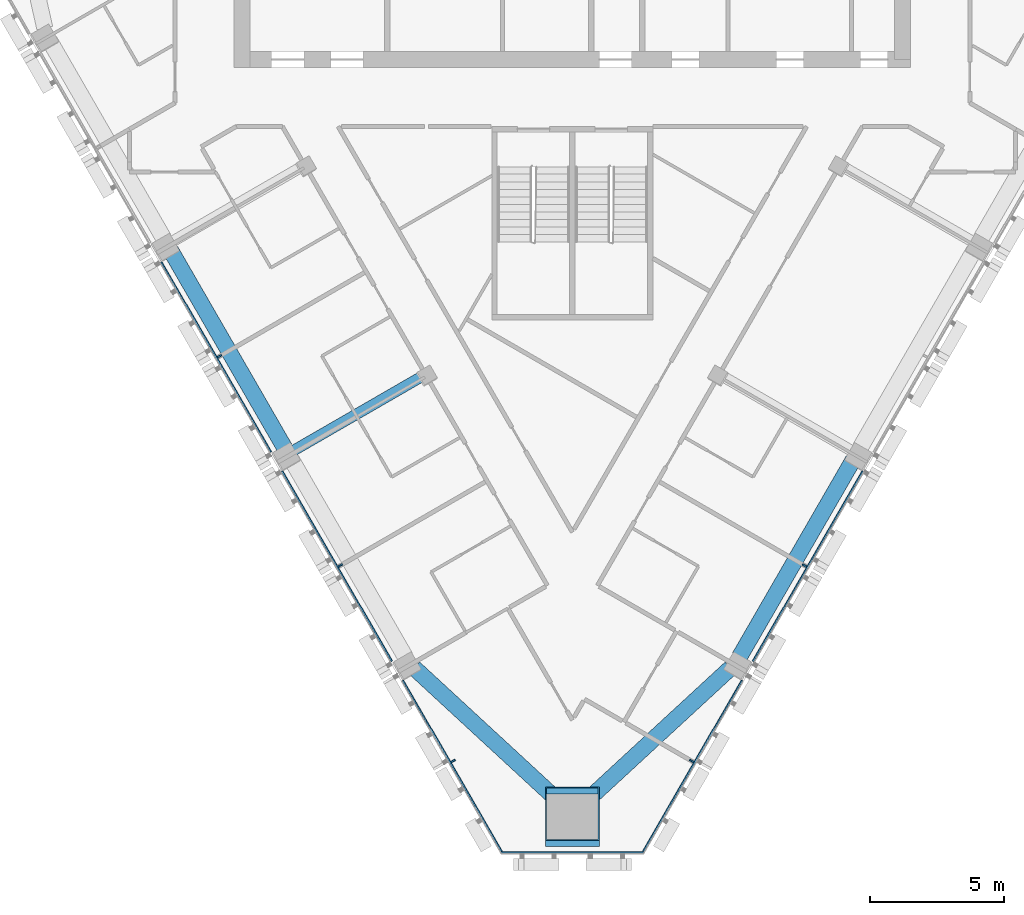
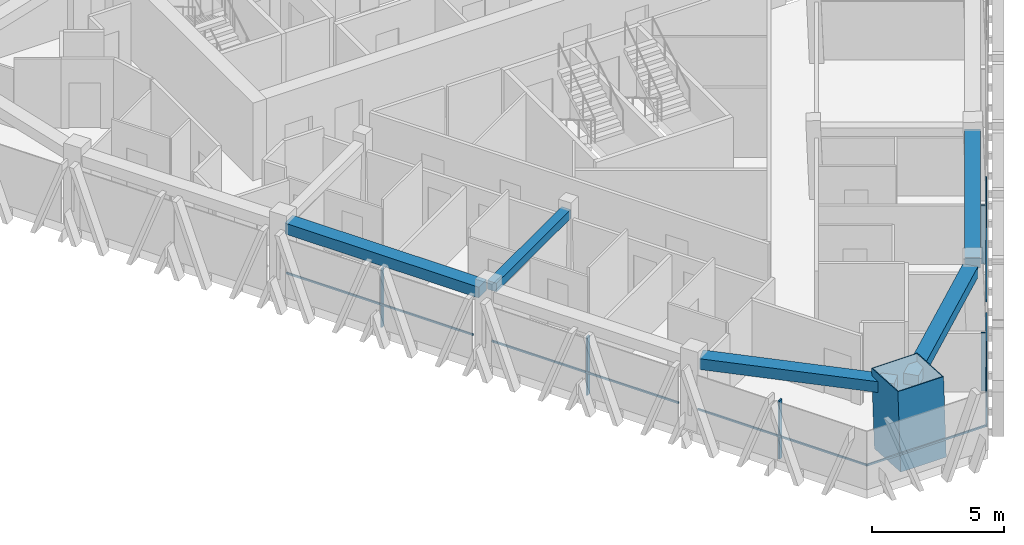
# One storey, part 2 of 15: 12 members, 5 beams, 3 elements without a shape of their own.
"""IFC4 building model written with IfcOpenShell, lengths in metres."""

from ifc_helpers import new_model, si_unit, direction, frame, origin, origin_2d, place, context, subcontext, project, spatial, rectangle, hollow_rectangle, extrude, material, layer, layer_set, material_profile, profile_set, type_object, element, aggregate, save


model = new_model("IFC4")

# Units and contexts
model_context = context("Model", 3, precision=1e-05, world=origin(), true_north=direction((0.0, 1.0)))
body_context = subcontext(model_context, "Body", "Model", "MODEL_VIEW")
ifc_project = project(units=[si_unit("LENGTHUNIT", "METRE"), si_unit("AREAUNIT", "SQUARE_METRE"), si_unit("VOLUMEUNIT", "CUBIC_METRE"), si_unit("PLANEANGLEUNIT", "RADIAN"), si_unit("MASSUNIT", "GRAM", prefix="KILO")], contexts=[model_context])

# Site, building, storey
site_placement = place(None, origin())
site = spatial("IfcSite", under=ifc_project, at=site_placement, CompositionType="ELEMENT")
building_placement = place(site_placement, origin())
building = spatial("IfcBuilding", under=site, at=building_placement, Name="Altiplano Prism Tower", CompositionType="ELEMENT")
storey_placement = place(building_placement, frame((0.0, 0.0, 246.39990234375)))
storey = spatial("IfcBuildingStorey", under=building, at=storey_placement, Name="L63", CompositionType="ELEMENT", Elevation=246.39990234375)

# Curtain wall, members
ifc_material_1 = material(Name="Aluminium and glass", Category="aluminium")
ifc_layer = layer(ifc_material_1, 0.280029296875)
ifc_layer_set = layer_set([ifc_layer], Name="Aluminium and glass")
curtain_wall_type = type_object("IfcCurtainWallType", Name="CW1 typical co-living unitised curtain wall", PredefinedType="NOTDEFINED", material=ifc_layer_set)
curtain_wall_1_placement = place(storey_placement, origin())
curtain_wall_1 = element("IfcCurtainWall", 1, at=curtain_wall_1_placement, inside=storey, type_object=curtain_wall_type, Name="CW1 curtain wall south-west face L63", PredefinedType="NOTDEFINED")
ifc_material_2 = material(Name="Aluminium", Category="aluminium")
ifc_material_profile_1 = material_profile(ifc_material_2, rectangle(XDim=0.179931640625, YDim=0.06494140625, at=origin_2d()), Name="CW1 mullion 65 x 180")
ifc_profile_set_1 = profile_set([ifc_material_profile_1], Name="Aluminium")
member_type_1 = type_object("IfcMemberType", Name="CW1 mullion 65 x 180", PredefinedType="MULLION", material=ifc_profile_set_1)
member_1_placement = place(storey_placement, frame((71.85302734375, 82.03857421875, 0.0), z_axis=(0.0, 0.0, 1.0), x_axis=(0.866025400486, 0.500000005713, 0.0)))
member_1 = element("IfcMember", 2, at=member_1_placement, type_object=member_type_1, Name="CW1 mullion", PredefinedType="MULLION", context=body_context, shape_type="SweptSolid", body=[
    extrude(rectangle(XDim=0.179931640625, YDim=0.06494140625, at=origin_2d()), origin(), (0.0, 0.0, 1.0), 2.7001953125),
])
member_2_placement = place(storey_placement, frame((76.35302734375, 74.244384765625, 0.0), z_axis=(0.0, 0.0, 1.0), x_axis=(0.866025400486, 0.500000005713, 0.0)))
member_2 = element("IfcMember", 3, at=member_2_placement, type_object=member_type_1, Name="CW1 mullion", PredefinedType="MULLION", context=body_context, shape_type="SweptSolid", body=[
    extrude(rectangle(XDim=0.179931640625, YDim=0.06494140625, at=origin_2d()), origin(), (0.0, 0.0, 1.0), 2.7001953125),
])
member_3_placement = place(storey_placement, frame((80.556396484375, 66.963623046875, 0.0), z_axis=(0.0, 0.0, 1.0), x_axis=(0.866025400486, 0.500000005713, 0.0)))
member_3 = element("IfcMember", 4, at=member_3_placement, type_object=member_type_1, Name="CW1 mullion", PredefinedType="MULLION", context=body_context, shape_type="SweptSolid", body=[
    extrude(rectangle(XDim=0.179931640625, YDim=0.06494140625, at=origin_2d()), origin(), (0.0, 0.0, 1.0), 2.7001953125),
])

curtain_wall_2_placement = place(storey_placement, origin())
curtain_wall_2 = element("IfcCurtainWall", 5, at=curtain_wall_2_placement, inside=storey, type_object=curtain_wall_type, Name="CW1 curtain wall south-east face L63", PredefinedType="NOTDEFINED")
member_4_placement = place(storey_placement, frame((89.443603515625, 66.963623046875, 0.0), z_axis=(0.0, 0.0, 1.0), x_axis=(-0.866025400486, 0.500000005713, 0.0)))
member_4 = element("IfcMember", 6, at=member_4_placement, type_object=member_type_1, Name="CW1 mullion", PredefinedType="MULLION", context=body_context, shape_type="SweptSolid", body=[
    extrude(rectangle(XDim=0.179931640625, YDim=0.06494140625, at=origin_2d()), origin(), (0.0, 0.0, 1.0), 2.7001953125),
])
member_5_placement = place(storey_placement, frame((93.64697265625, 74.244384765625, 0.0), z_axis=(0.0, 0.0, 1.0), x_axis=(-0.866025400486, 0.500000005713, 0.0)))
member_5 = element("IfcMember", 7, at=member_5_placement, type_object=member_type_1, Name="CW1 mullion", PredefinedType="MULLION", context=body_context, shape_type="SweptSolid", body=[
    extrude(rectangle(XDim=0.179931640625, YDim=0.06494140625, at=origin_2d()), origin(), (0.0, 0.0, 1.0), 2.7001953125),
])

# Member
ifc_material_profile_2 = material_profile(ifc_material_2, rectangle(XDim=0.06005859375, YDim=0.080078125, at=origin_2d()), Name="CW1 transom 80 x 60")
ifc_profile_set_2 = profile_set([ifc_material_profile_2], Name="Aluminium")
member_type_2 = type_object("IfcMemberType", Name="CW1 transom 80 x 60", PredefinedType="USERDEFINED", material=ifc_profile_set_2)
member_6_placement = place(storey_placement, frame((69.686767578125, 85.550537109375, 1.10009765625), z_axis=(0.499995783154, -0.866027838368, 0.0), x_axis=(0.866027838368, 0.499995783154, 0.0)))
member_6 = element("IfcMember", 8, at=member_6_placement, type_object=member_type_2, Name="CW1 transom", ObjectType="TRANSOM", PredefinedType="USERDEFINED", context=body_context, shape_type="SweptSolid", body=[
    extrude(rectangle(XDim=0.06005859375, YDim=0.080078125, at=origin_2d()), origin(), (0.0, 0.0, 1.0), 8.169921875),
])

member_7_placement = place(storey_placement, frame((74.186767578125, 77.75634765625, 1.10009765625), z_axis=(0.499995783154, -0.866027838368, 0.0), x_axis=(0.866027838368, 0.499995783154, 0.0)))
member_7 = element("IfcMember", 9, at=member_7_placement, type_object=member_type_2, Name="CW1 transom", ObjectType="TRANSOM", PredefinedType="USERDEFINED", context=body_context, shape_type="SweptSolid", body=[
    extrude(rectangle(XDim=0.06005859375, YDim=0.080078125, at=origin_2d()), origin(), (0.0, 0.0, 1.0), 8.169921875),
])

member_8_placement = place(storey_placement, frame((78.686767578125, 69.9619140625, 1.10009765625), z_axis=(0.500000881184, -0.866024895032, 0.0), x_axis=(0.866024895032, 0.500000881184, 0.0)))
member_8 = element("IfcMember", 10, at=member_8_placement, type_object=member_type_2, Name="CW1 transom", ObjectType="TRANSOM", PredefinedType="USERDEFINED", context=body_context, shape_type="SweptSolid", body=[
    extrude(rectangle(XDim=0.06005859375, YDim=0.080078125, at=origin_2d()), origin(), (0.0, 0.0, 1.0), 7.4384765625),
])

aggregate(curtain_wall_1, [member_1, member_6, member_2, member_7, member_3, member_8])

# Curtain wall, member
curtain_wall_3_placement = place(storey_placement, origin())
curtain_wall_3 = element("IfcCurtainWall", 11, at=curtain_wall_3_placement, inside=storey, type_object=curtain_wall_type, Name="CW1 curtain wall south chamfer L63", PredefinedType="NOTDEFINED")
member_9_placement = place(storey_placement, frame((82.345458984375, 63.554931640625, 1.10009765625), z_axis=(1.0, 0.0, 0.0), x_axis=(0.0, 1.0, 0.0)))
member_9 = element("IfcMember", 12, at=member_9_placement, type_object=member_type_2, Name="CW1 transom", ObjectType="TRANSOM", PredefinedType="USERDEFINED", context=body_context, shape_type="SweptSolid", body=[
    extrude(rectangle(XDim=0.06005859375, YDim=0.080078125, at=origin_2d()), origin(), (0.0, 0.0, 1.0), 5.30908203125),
])
aggregate(curtain_wall_3, [member_9])

# Member
member_10_placement = place(storey_placement, frame((87.593994140625, 63.52001953125, 1.10009765625), z_axis=(0.500000881184, 0.866024895032, 0.0), x_axis=(-0.866024895032, 0.500000881184, 0.0)))
member_10 = element("IfcMember", 13, at=member_10_placement, type_object=member_type_2, Name="CW1 transom", ObjectType="TRANSOM", PredefinedType="USERDEFINED", context=body_context, shape_type="SweptSolid", body=[
    extrude(rectangle(XDim=0.06005859375, YDim=0.080078125, at=origin_2d()), origin(), (0.0, 0.0, 1.0), 7.4384765625),
])

member_11_placement = place(storey_placement, frame((91.728271484375, 70.680908203125, 1.10009765625), z_axis=(0.499995783154, 0.866027838368, 0.0), x_axis=(-0.866027838368, 0.499995783154, 0.0)))
member_11 = element("IfcMember", 14, at=member_11_placement, type_object=member_type_2, Name="CW1 transom", ObjectType="TRANSOM", PredefinedType="USERDEFINED", context=body_context, shape_type="SweptSolid", body=[
    extrude(rectangle(XDim=0.06005859375, YDim=0.080078125, at=origin_2d()), origin(), (0.0, 0.0, 1.0), 8.169921875),
])

aggregate(curtain_wall_2, [member_4, member_10, member_5, member_11])

# Beams
ifc_material_3 = material(Name="Concrete C60/75", Category="concrete")
ifc_material_profile_3 = material_profile(ifc_material_3, rectangle(XDim=0.60009765625, YDim=0.5, at=origin_2d()), Name="Edge beam 600x500")
ifc_profile_set_3 = profile_set([ifc_material_profile_3], Name="Concrete C60/75")
beam_type_1 = type_object("IfcBeamType", Name="Edge beam 600x500", PredefinedType="SPANDREL", material=ifc_profile_set_3)
beam_1_placement = place(storey_placement, frame((70.03564453125, 85.9833984375, 2.9501953125), z_axis=(0.49998963237, -0.866031389456, 0.0), x_axis=(0.866031389456, 0.49998963237, 0.0)))
element("IfcBeam", 15, at=beam_1_placement, inside=storey, type_object=beam_type_1, Name="Edge beam P12-P13 L64", PredefinedType="SPANDREL", context=body_context, shape_type="SweptSolid", body=[
    extrude(rectangle(XDim=0.60009765625, YDim=0.5, at=origin_2d()), origin(), (0.0, 0.0, 1.0), 8.489990234375),
])
for number, where, z_axis, x_axis, name in (
    (16, (79.108642578125, 70.430908203125, 2.9501953125), (0.734964254697, -0.678105850378, 0.0), (0.678105850378, 0.734964254697, 0.0), "Edge beam P14-M1 L64"),
    (17, (85.330810546875, 65.300537109375, 2.9501953125), (0.734964254697, 0.678105850378, 0.0), (-0.678105850378, 0.734964254697, 0.0), "Edge beam M1-P21 L64"),
):
    element("IfcBeam", number, at=place(storey_placement, frame(where, z_axis=z_axis, x_axis=x_axis)), inside=storey, type_object=beam_type_1, Name=name, PredefinedType="SPANDREL", context=body_context, shape_type="SweptSolid", body=[
        extrude(rectangle(XDim=0.60009765625, YDim=0.5, at=origin_2d()), origin(), (0.0, 0.0, 1.0), 7.565673828125),
    ])
beam_2_placement = place(storey_placement, frame((91.219482421875, 70.836669921875, 2.9501953125), z_axis=(0.49998963237, 0.866031389456, 0.0), x_axis=(-0.866031389456, 0.49998963237, 0.0)))
element("IfcBeam", 18, at=beam_2_placement, inside=storey, type_object=beam_type_1, Name="Edge beam P21-P22 L64", PredefinedType="SPANDREL", context=body_context, shape_type="SweptSolid", body=[
    extrude(rectangle(XDim=0.60009765625, YDim=0.5, at=origin_2d()), origin(), (0.0, 0.0, 1.0), 8.489990234375),
])

# Member
ifc_material_4 = material(Name="Steel S460", Category="steel")
ifc_material_profile_4 = material_profile(ifc_material_4, hollow_rectangle(XDim=2.0, YDim=2.0, WallThickness=0.0400390625, at=origin_2d()), Name="Mega column tube 2000")
ifc_profile_set_4 = profile_set([ifc_material_profile_4], Name="Steel S460")
member_type_3 = type_object("IfcMemberType", Name="Mega column tube 2000", PredefinedType="POST", material=ifc_profile_set_4)
member_12_placement = place(storey_placement, frame((85.0, 64.78515625, 0.0), z_axis=(0.0, 0.058356907999, 0.998295783467), x_axis=(-1.0, 0.0, 0.0)))
element("IfcMember", 19, at=member_12_placement, inside=storey, type_object=member_type_3, Name="Mega column tube M1 L63", PredefinedType="POST", context=body_context, shape_type="SweptSolid", body=[
    extrude(hollow_rectangle(XDim=2.0, YDim=2.0, WallThickness=0.0400390625, at=origin_2d()), origin(), (0.0, 0.0, 1.0), 3.606201171875),
])

# Beam
ifc_material_profile_5 = material_profile(ifc_material_3, rectangle(XDim=0.39990234375, YDim=0.39990234375, at=origin_2d()), Name="Tie beam 400x400")
ifc_profile_set_5 = profile_set([ifc_material_profile_5], Name="Concrete C60/75")
beam_type_2 = type_object("IfcBeamType", Name="Tie beam 400x400", PredefinedType="BEAM", material=ifc_profile_set_5)
beam_3_placement = place(storey_placement, frame((79.513427734375, 81.357666015625, 3.0), z_axis=(-0.866026281646, -0.499998479497, 0.0), x_axis=(0.499998479497, -0.866026281646, 0.0)))
element("IfcBeam", 20, at=beam_3_placement, inside=storey, type_object=beam_type_2, Name="Tie beam I13 L64", PredefinedType="BEAM", context=body_context, shape_type="SweptSolid", body=[
    extrude(rectangle(XDim=0.39990234375, YDim=0.39990234375, at=origin_2d()), origin(), (0.0, 0.0, 1.0), 5.64013671875),
])

save(model, "model.ifc")
